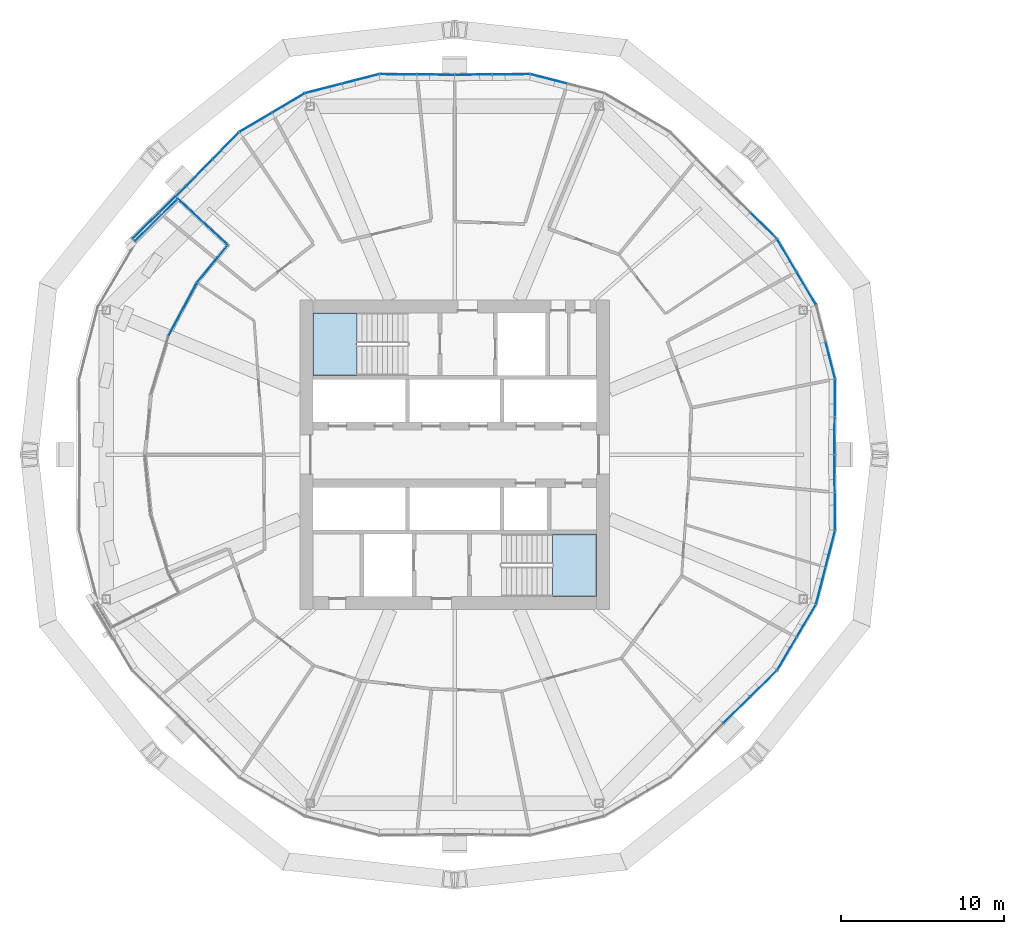
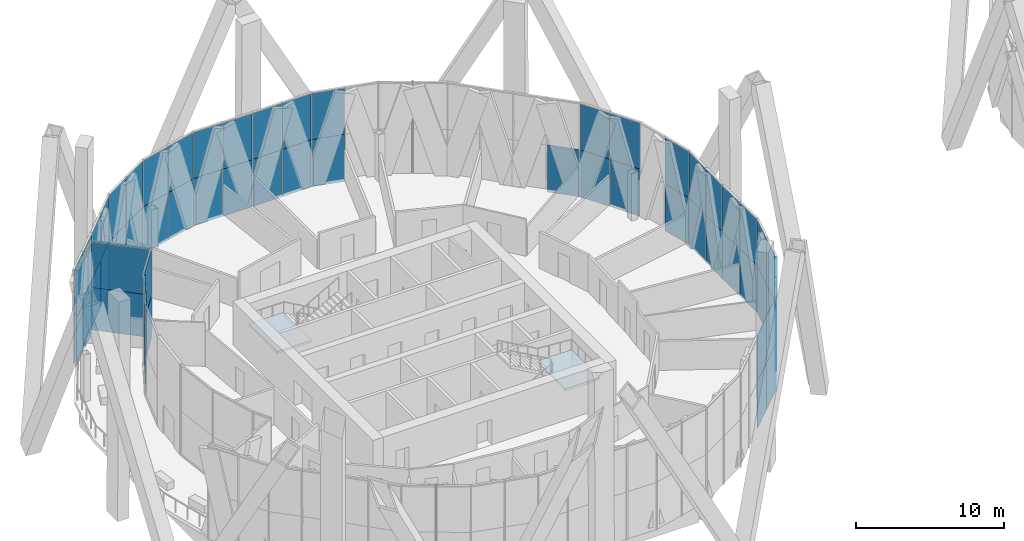
# One storey, part 18 of 30: 61 plates, 2 slabs, 9 elements without a shape of their own.
"""IFC4 building model written with IfcOpenShell, lengths in metres."""

from ifc_helpers import new_model, si_unit, direction, frame, origin, origin_2d, place, context, subcontext, project, spatial, polyline, rectangle, outline, extrude, material, layer, layer_set, type_object, element, aggregate, save


model = new_model("IFC4")

# Units and contexts
model_context = context("Model", 3, precision=1e-05, world=origin(), true_north=direction((0.0, 1.0)))
body_context = subcontext(model_context, "Body", "Model", "MODEL_VIEW")
ifc_project = project(units=[si_unit("LENGTHUNIT", "METRE"), si_unit("AREAUNIT", "SQUARE_METRE"), si_unit("VOLUMEUNIT", "CUBIC_METRE"), si_unit("PLANEANGLEUNIT", "RADIAN"), si_unit("MASSUNIT", "GRAM", prefix="KILO")], contexts=[model_context])

# Site, building, storey
site_placement = place(None, origin())
site = spatial("IfcSite", under=ifc_project, at=site_placement, CompositionType="ELEMENT")
building_placement = place(site_placement, origin())
building = spatial("IfcBuilding", under=site, at=building_placement, Name="Ogive Gate Towers", CompositionType="ELEMENT")
storey_placement = place(building_placement, frame((0.0, 0.0, 99.60009765625)))
storey = spatial("IfcBuildingStorey", under=building, at=storey_placement, Name="L23", CompositionType="ELEMENT", Elevation=99.60009765625)

# Curtain wall, plates
ifc_material_1 = material(Name="Pale metal aluminium", Category="aluminium")
curtain_wall_type_1 = type_object("IfcCurtainWallType", Name="Sky garden glazing", PredefinedType="NOTDEFINED", material=ifc_material_1)
curtain_wall_1_placement = place(storey_placement, origin())
curtain_wall_1 = element("IfcCurtainWall", 1, at=curtain_wall_1_placement, inside=storey, type_object=curtain_wall_type_1, Name="CW4 T1 ECW01", PredefinedType="NOTDEFINED")
ifc_material_2 = material(Name="Clear glass", Category="glass")
ifc_layer_1 = layer(ifc_material_2, 0.028076171875)
ifc_layer_set_1 = layer_set([ifc_layer_1], Name="Sky garden glazing glass panel")
plate_type_1 = type_object("IfcPlateType", Name="Sky garden glazing glass panel", PredefinedType="CURTAIN_PANEL", material=ifc_layer_set_1)
plate_1_placement = place(storey_placement, frame((-52.68505859375, 8.918212890625, 0.095947265625), z_axis=(0.0, 0.0, 1.0), x_axis=(0.471396736826, 0.881921264348, 0.0)))
plate_1 = element("IfcPlate", 2, at=plate_1_placement, type_object=plate_type_1, Name="CW4 glass panel", PredefinedType="CURTAIN_PANEL", context=body_context, shape_type="SweptSolid", body=[
    extrude(rectangle(XDim=3.676025390625, YDim=0.028076171875, at=origin_2d()), origin(), (0.0, 0.0, 1.0), 3.50390625),
])
plate_2_placement = place(storey_placement, frame((-52.68505859375, 8.918212890625, 3.60009765625), z_axis=(0.0, 0.0, 1.0), x_axis=(0.471396736826, 0.881921264348, 0.0)))
plate_2 = element("IfcPlate", 3, at=plate_2_placement, type_object=plate_type_1, Name="CW4 glass panel", PredefinedType="CURTAIN_PANEL", context=body_context, shape_type="SweptSolid", body=[
    extrude(rectangle(XDim=3.676025390625, YDim=0.028076171875, at=origin_2d()), origin(), (0.0, 0.0, 1.0), 3.803955078125),
])
plate_3_placement = place(storey_placement, frame((-50.870849609375, 11.701904296875, 0.095947265625), z_axis=(0.0, 0.0, 1.0), x_axis=(0.634406775645, 0.772999380993, 0.0)))
plate_3 = element("IfcPlate", 4, at=plate_3_placement, type_object=plate_type_1, Name="CW4 glass panel", PredefinedType="CURTAIN_PANEL", context=body_context, shape_type="SweptSolid", body=[
    extrude(rectangle(XDim=2.899169921875, YDim=0.028076171875, at=origin_2d()), origin(), (0.0, 0.0, 1.0), 3.50390625),
])
plate_4_placement = place(storey_placement, frame((-50.870849609375, 11.701904296875, 3.60009765625), z_axis=(0.0, 0.0, 1.0), x_axis=(0.634406775645, 0.772999380993, 0.0)))
plate_4 = element("IfcPlate", 5, at=plate_4_placement, type_object=plate_type_1, Name="CW4 glass panel", PredefinedType="CURTAIN_PANEL", context=body_context, shape_type="SweptSolid", body=[
    extrude(rectangle(XDim=2.899169921875, YDim=0.028076171875, at=origin_2d()), origin(), (0.0, 0.0, 1.0), 3.803955078125),
])
plate_5_placement = place(storey_placement, frame((-51.4638671875, 14.28369140625, 0.095947265625), z_axis=(0.0, 0.0, 1.0), x_axis=(-0.731353701619, 0.681998360062, 0.0)))
plate_5 = element("IfcPlate", 6, at=plate_5_placement, type_object=plate_type_1, Name="CW4 glass panel", PredefinedType="CURTAIN_PANEL", context=body_context, shape_type="SweptSolid", body=[
    extrude(rectangle(XDim=4.126708984375, YDim=0.028076171875, at=origin_2d()), origin(), (0.0, 0.0, 1.0), 3.50390625),
])
plate_6_placement = place(storey_placement, frame((-51.4638671875, 14.28369140625, 3.60009765625), z_axis=(0.0, 0.0, 1.0), x_axis=(-0.731353701619, 0.681998360062, 0.0)))
plate_6 = element("IfcPlate", 7, at=plate_6_placement, type_object=plate_type_1, Name="CW4 glass panel", PredefinedType="CURTAIN_PANEL", context=body_context, shape_type="SweptSolid", body=[
    extrude(rectangle(XDim=4.126708984375, YDim=0.028076171875, at=origin_2d()), origin(), (0.0, 0.0, 1.0), 3.803955078125),
])
aggregate(curtain_wall_1, [plate_1, plate_2, plate_3, plate_4, plate_5, plate_6])

# Stair, slab
ifc_material_3 = material(Name="Concrete C40/50", Category="concrete")
stair_type = type_object("IfcStairType", Name="Escape stair 1840 wide", PredefinedType="HALF_TURN_STAIR", material=ifc_material_3)
stair_1_placement = place(storey_placement, origin())
stair_1 = element("IfcStair", 8, at=stair_1_placement, inside=storey, type_object=stair_type, Name="L23 Escape stair 1", PredefinedType="HALF_TURN_STAIR")
ifc_layer_2 = layer(ifc_material_3, 0.199951171875)
ifc_layer_set_2 = layer_set([ifc_layer_2], Name="Stair landing 200 mm")
slab_type = type_object("IfcSlabType", Name="Stair landing 200 mm", PredefinedType="LANDING", material=ifc_layer_set_2)
slab_1_placement = place(storey_placement, frame((0.0, 0.0, 1.75)))
slab_1 = element("IfcSlab", 9, at=slab_1_placement, type_object=slab_type, Name="ST1 landing 1", PredefinedType="LANDING", context=body_context, shape_type="SweptSolid", body=[
    extrude(outline(polyline([(-42.00146484375, 8.699951171875), (-44.699951171875, 8.699951171875), (-44.699951171875, 4.875), (-42.00146484375, 4.875), (-42.00146484375, 8.699951171875)])), origin(), (0.0, 0.0, 1.0), 0.199951171875),
])
aggregate(stair_1, [slab_1])

stair_2_placement = place(storey_placement, origin())
stair_2 = element("IfcStair", 10, at=stair_2_placement, inside=storey, type_object=stair_type, Name="L23 Escape stair 2", PredefinedType="HALF_TURN_STAIR")
slab_2_placement = place(storey_placement, frame((0.0, 0.0, 1.75)))
slab_2 = element("IfcSlab", 11, at=slab_2_placement, type_object=slab_type, Name="ST2 landing 1", PredefinedType="LANDING", context=body_context, shape_type="SweptSolid", body=[
    extrude(outline(polyline([(-29.99853515625, -8.699951171875), (-27.300048828125, -8.699951171875), (-27.300048828125, -4.875), (-29.99853515625, -4.875), (-29.99853515625, -8.699951171875)])), origin(), (0.0, 0.0, 1.0), 0.199951171875),
])
aggregate(stair_2, [slab_2])

# Curtain wall, plates
curtain_wall_type_2 = type_object("IfcCurtainWallType", Name="Tower unitised wall, low zone", PredefinedType="NOTDEFINED", material=ifc_material_1)
curtain_wall_2_placement = place(storey_placement, origin())
curtain_wall_2 = element("IfcCurtainWall", 12, at=curtain_wall_2_placement, inside=storey, type_object=curtain_wall_type_2, Name="CW1 T1 ECW03", PredefinedType="NOTDEFINED")
ifc_layer_3 = layer(ifc_material_2, 0.028076171875)
ifc_layer_set_3 = layer_set([ifc_layer_3], Name="Tower unitised wall, low zone glass panel")
plate_type_2 = type_object("IfcPlateType", Name="Tower unitised wall, low zone glass panel", PredefinedType="CURTAIN_PANEL", material=ifc_layer_set_3)
plate_7_placement = place(storey_placement, frame((-17.035400390625, 14.048095703125, -0.300048828125), z_axis=(0.0, 0.0, 1.0), x_axis=(0.713861836212, -0.700286569056, 0.0)))
plate_7 = element("IfcPlate", 13, at=plate_7_placement, type_object=plate_type_2, Name="CW1 glass panel", PredefinedType="CURTAIN_PANEL", context=body_context, shape_type="SweptSolid", body=[
    extrude(rectangle(XDim=2.26123046875, YDim=0.028076171875, at=origin_2d()), origin(), (0.0, 0.0, 1.0), 3.89990234375),
])
plate_8_placement = place(storey_placement, frame((-15.60791015625, 12.221435546875, -0.300048828125), z_axis=(0.0, 0.0, 1.0), x_axis=(0.508530551553, -0.861043946693, 0.0)))
plate_8 = element("IfcPlate", 14, at=plate_8_placement, type_object=plate_type_2, Name="CW1 glass panel", PredefinedType="CURTAIN_PANEL", context=body_context, shape_type="SweptSolid", body=[
    extrude(rectangle(XDim=2.29150390625, YDim=0.028076171875, at=origin_2d()), origin(), (0.0, 0.0, 1.0), 3.89990234375),
])
plate_9_placement = place(storey_placement, frame((-15.60791015625, 12.221435546875, 3.60009765625), z_axis=(0.0, 0.0, 1.0), x_axis=(0.508530551553, -0.861043946693, 0.0)))
plate_9 = element("IfcPlate", 15, at=plate_9_placement, type_object=plate_type_2, Name="CW1 glass panel", PredefinedType="CURTAIN_PANEL", context=body_context, shape_type="SweptSolid", body=[
    extrude(rectangle(XDim=2.29150390625, YDim=0.028076171875, at=origin_2d()), origin(), (0.0, 0.0, 1.0), 3.803955078125),
])
plate_10_placement = place(storey_placement, frame((-14.415283203125, 10.201904296875, -0.300048828125), z_axis=(0.0, 0.0, 1.0), x_axis=(0.508545579527, -0.86103507103, 0.0)))
plate_10 = element("IfcPlate", 16, at=plate_10_placement, type_object=plate_type_2, Name="CW1 glass panel", PredefinedType="CURTAIN_PANEL", context=body_context, shape_type="SweptSolid", body=[
    extrude(rectangle(XDim=2.29150390625, YDim=0.028076171875, at=origin_2d()), origin(), (0.0, 0.0, 1.0), 3.89990234375),
])
plate_11_placement = place(storey_placement, frame((-14.415283203125, 10.201904296875, 3.60009765625), z_axis=(0.0, 0.0, 1.0), x_axis=(0.508545579527, -0.86103507103, 0.0)))
plate_11 = element("IfcPlate", 17, at=plate_11_placement, type_object=plate_type_2, Name="CW1 glass panel", PredefinedType="CURTAIN_PANEL", context=body_context, shape_type="SweptSolid", body=[
    extrude(rectangle(XDim=2.29150390625, YDim=0.028076171875, at=origin_2d()), origin(), (0.0, 0.0, 1.0), 3.803955078125),
])
plate_12_placement = place(storey_placement, frame((-12.938720703125, 5.77734375, -0.300048828125), z_axis=(0.0, 0.0, 1.0), x_axis=(0.249247709738, -0.968439765391, 0.0)))
plate_12 = element("IfcPlate", 18, at=plate_12_placement, type_object=plate_type_2, Name="CW1 glass panel", PredefinedType="CURTAIN_PANEL", context=body_context, shape_type="SweptSolid", body=[
    extrude(rectangle(XDim=2.291748046875, YDim=0.028076171875, at=origin_2d()), origin(), (0.0, 0.0, 1.0), 3.89990234375),
])
plate_13_placement = place(storey_placement, frame((-12.938720703125, 5.77734375, 3.60009765625), z_axis=(0.0, 0.0, 1.0), x_axis=(0.249247709738, -0.968439765391, 0.0)))
plate_13 = element("IfcPlate", 19, at=plate_13_placement, type_object=plate_type_2, Name="CW1 glass panel", PredefinedType="CURTAIN_PANEL", context=body_context, shape_type="SweptSolid", body=[
    extrude(rectangle(XDim=2.291748046875, YDim=0.028076171875, at=origin_2d()), origin(), (0.0, 0.0, 1.0), 3.803955078125),
])
plate_14_placement = place(storey_placement, frame((-12.656494140625, 3.476318359375, -0.300048828125), z_axis=(0.0, 0.0, 1.0), x_axis=(-0.009581710973, -0.999954094354, 0.0)))
plate_14 = element("IfcPlate", 20, at=plate_14_placement, type_object=plate_type_2, Name="CW1 glass panel", PredefinedType="CURTAIN_PANEL", context=body_context, shape_type="SweptSolid", body=[
    extrude(rectangle(XDim=2.26123046875, YDim=0.028076171875, at=origin_2d()), origin(), (0.0, 0.0, 1.0), 3.89990234375),
])
plate_15_placement = place(storey_placement, frame((-12.656494140625, 3.476318359375, 3.60009765625), z_axis=(0.0, 0.0, 1.0), x_axis=(-0.009581710973, -0.999954094354, 0.0)))
plate_15 = element("IfcPlate", 21, at=plate_15_placement, type_object=plate_type_2, Name="CW1 glass panel", PredefinedType="CURTAIN_PANEL", context=body_context, shape_type="SweptSolid", body=[
    extrude(rectangle(XDim=2.26123046875, YDim=0.028076171875, at=origin_2d()), origin(), (0.0, 0.0, 1.0), 3.803955078125),
])
plate_16_placement = place(storey_placement, frame((-12.678955078125, 1.159423828125, -0.300048828125), z_axis=(0.0, 0.0, 1.0), x_axis=(-0.009616615949, -0.99995375928, 0.0)))
plate_16 = element("IfcPlate", 22, at=plate_16_placement, type_object=plate_type_2, Name="CW1 glass panel", PredefinedType="CURTAIN_PANEL", context=body_context, shape_type="SweptSolid", body=[
    extrude(rectangle(XDim=2.264892578125, YDim=0.028076171875, at=origin_2d()), origin(), (0.0, 0.0, 1.0), 3.89990234375),
])
plate_17_placement = place(storey_placement, frame((-12.678955078125, 1.159423828125, 3.60009765625), z_axis=(0.0, 0.0, 1.0), x_axis=(-0.009616615949, -0.99995375928, 0.0)))
plate_17 = element("IfcPlate", 23, at=plate_17_placement, type_object=plate_type_2, Name="CW1 glass panel", PredefinedType="CURTAIN_PANEL", context=body_context, shape_type="SweptSolid", body=[
    extrude(rectangle(XDim=2.264892578125, YDim=0.028076171875, at=origin_2d()), origin(), (0.0, 0.0, 1.0), 3.803955078125),
])
aggregate(curtain_wall_2, [plate_7, plate_8, plate_9, plate_10, plate_11, plate_12, plate_13, plate_14, plate_15, plate_16, plate_17])

curtain_wall_3_placement = place(storey_placement, origin())
curtain_wall_3 = element("IfcCurtainWall", 24, at=curtain_wall_3_placement, inside=storey, type_object=curtain_wall_type_2, Name="CW1 T1 ECW04", PredefinedType="NOTDEFINED")
plate_18_placement = place(storey_placement, frame((-34.840576171875, 23.321044921875, -0.300048828125), z_axis=(0.0, 0.0, 1.0), x_axis=(0.99995375928, 0.009616615949, 0.0)))
plate_18 = element("IfcPlate", 25, at=plate_18_placement, type_object=plate_type_2, Name="CW1 glass panel", PredefinedType="CURTAIN_PANEL", context=body_context, shape_type="SweptSolid", body=[
    extrude(rectangle(XDim=2.264892578125, YDim=0.028076171875, at=origin_2d()), origin(), (0.0, 0.0, 1.0), 3.89990234375),
])
plate_19_placement = place(storey_placement, frame((-34.840576171875, 23.321044921875, 3.60009765625), z_axis=(0.0, 0.0, 1.0), x_axis=(0.99995375928, 0.009616615949, 0.0)))
plate_19 = element("IfcPlate", 26, at=plate_19_placement, type_object=plate_type_2, Name="CW1 glass panel", PredefinedType="CURTAIN_PANEL", context=body_context, shape_type="SweptSolid", body=[
    extrude(rectangle(XDim=2.264892578125, YDim=0.028076171875, at=origin_2d()), origin(), (0.0, 0.0, 1.0), 3.803955078125),
])
plate_20_placement = place(storey_placement, frame((-32.523681640625, 23.343505859375, -0.300048828125), z_axis=(0.0, 0.0, 1.0), x_axis=(0.999954094354, 0.009581710973, 0.0)))
plate_20 = element("IfcPlate", 27, at=plate_20_placement, type_object=plate_type_2, Name="CW1 glass panel", PredefinedType="CURTAIN_PANEL", context=body_context, shape_type="SweptSolid", body=[
    extrude(rectangle(XDim=2.26123046875, YDim=0.028076171875, at=origin_2d()), origin(), (0.0, 0.0, 1.0), 3.89990234375),
])
plate_21_placement = place(storey_placement, frame((-32.523681640625, 23.343505859375, 3.60009765625), z_axis=(0.0, 0.0, 1.0), x_axis=(0.999954094354, 0.009581710973, 0.0)))
plate_21 = element("IfcPlate", 28, at=plate_21_placement, type_object=plate_type_2, Name="CW1 glass panel", PredefinedType="CURTAIN_PANEL", context=body_context, shape_type="SweptSolid", body=[
    extrude(rectangle(XDim=2.26123046875, YDim=0.028076171875, at=origin_2d()), origin(), (0.0, 0.0, 1.0), 3.803955078125),
])
plate_22_placement = place(storey_placement, frame((-30.22265625, 23.061279296875, -0.300048828125), z_axis=(0.0, 0.0, 1.0), x_axis=(0.968439765391, -0.249247709738, 0.0)))
plate_22 = element("IfcPlate", 29, at=plate_22_placement, type_object=plate_type_2, Name="CW1 glass panel", PredefinedType="CURTAIN_PANEL", context=body_context, shape_type="SweptSolid", body=[
    extrude(rectangle(XDim=2.291748046875, YDim=0.028076171875, at=origin_2d()), origin(), (0.0, 0.0, 1.0), 3.89990234375),
])
plate_23_placement = place(storey_placement, frame((-30.22265625, 23.061279296875, 3.60009765625), z_axis=(0.0, 0.0, 1.0), x_axis=(0.968439765391, -0.249247709738, 0.0)))
plate_23 = element("IfcPlate", 30, at=plate_23_placement, type_object=plate_type_2, Name="CW1 glass panel", PredefinedType="CURTAIN_PANEL", context=body_context, shape_type="SweptSolid", body=[
    extrude(rectangle(XDim=2.291748046875, YDim=0.028076171875, at=origin_2d()), origin(), (0.0, 0.0, 1.0), 3.803955078125),
])
aggregate(curtain_wall_3, [plate_18, plate_19, plate_20, plate_21, plate_22, plate_23])

curtain_wall_4_placement = place(storey_placement, origin())
curtain_wall_4 = element("IfcCurtainWall", 31, at=curtain_wall_4_placement, inside=storey, type_object=curtain_wall_type_2, Name="CW1 T1 ECW05", PredefinedType="NOTDEFINED")
plate_24_placement = place(storey_placement, frame((-51.670654296875, 17.310302734375, -0.300048828125), z_axis=(0.0, 0.0, 1.0), x_axis=(0.700299028189, 0.713849613797, 0.0)))
plate_24 = element("IfcPlate", 32, at=plate_24_placement, type_object=plate_type_2, Name="CW1 glass panel", PredefinedType="CURTAIN_PANEL", context=body_context, shape_type="SweptSolid", body=[
    extrude(rectangle(XDim=2.264892578125, YDim=0.028076171875, at=origin_2d()), origin(), (0.0, 0.0, 1.0), 3.89990234375),
])
plate_25_placement = place(storey_placement, frame((-51.670654296875, 17.310302734375, 3.60009765625), z_axis=(0.0, 0.0, 1.0), x_axis=(0.700299028189, 0.713849613797, 0.0)))
plate_25 = element("IfcPlate", 33, at=plate_25_placement, type_object=plate_type_2, Name="CW1 glass panel", PredefinedType="CURTAIN_PANEL", context=body_context, shape_type="SweptSolid", body=[
    extrude(rectangle(XDim=2.264892578125, YDim=0.028076171875, at=origin_2d()), origin(), (0.0, 0.0, 1.0), 3.803955078125),
])
plate_26_placement = place(storey_placement, frame((-50.048095703125, 18.964599609375, -0.300048828125), z_axis=(0.0, 0.0, 1.0), x_axis=(0.700286569056, 0.713861836212, 0.0)))
plate_26 = element("IfcPlate", 34, at=plate_26_placement, type_object=plate_type_2, Name="CW1 glass panel", PredefinedType="CURTAIN_PANEL", context=body_context, shape_type="SweptSolid", body=[
    extrude(rectangle(XDim=2.26123046875, YDim=0.028076171875, at=origin_2d()), origin(), (0.0, 0.0, 1.0), 3.89990234375),
])
plate_27_placement = place(storey_placement, frame((-50.048095703125, 18.964599609375, 3.60009765625), z_axis=(0.0, 0.0, 1.0), x_axis=(0.700286569056, 0.713861836212, 0.0)))
plate_27 = element("IfcPlate", 35, at=plate_27_placement, type_object=plate_type_2, Name="CW1 glass panel", PredefinedType="CURTAIN_PANEL", context=body_context, shape_type="SweptSolid", body=[
    extrude(rectangle(XDim=2.26123046875, YDim=0.028076171875, at=origin_2d()), origin(), (0.0, 0.0, 1.0), 3.803955078125),
])
plate_28_placement = place(storey_placement, frame((-48.221435546875, 20.39208984375, -0.300048828125), z_axis=(0.0, 0.0, 1.0), x_axis=(0.861043946693, 0.508530551553, 0.0)))
plate_28 = element("IfcPlate", 36, at=plate_28_placement, type_object=plate_type_2, Name="CW1 glass panel", PredefinedType="CURTAIN_PANEL", context=body_context, shape_type="SweptSolid", body=[
    extrude(rectangle(XDim=2.29150390625, YDim=0.028076171875, at=origin_2d()), origin(), (0.0, 0.0, 1.0), 3.89990234375),
])
plate_29_placement = place(storey_placement, frame((-48.221435546875, 20.39208984375, 3.60009765625), z_axis=(0.0, 0.0, 1.0), x_axis=(0.861043946693, 0.508530551553, 0.0)))
plate_29 = element("IfcPlate", 37, at=plate_29_placement, type_object=plate_type_2, Name="CW1 glass panel", PredefinedType="CURTAIN_PANEL", context=body_context, shape_type="SweptSolid", body=[
    extrude(rectangle(XDim=2.29150390625, YDim=0.028076171875, at=origin_2d()), origin(), (0.0, 0.0, 1.0), 3.803955078125),
])
plate_30_placement = place(storey_placement, frame((-46.201904296875, 21.584716796875, -0.300048828125), z_axis=(0.0, 0.0, 1.0), x_axis=(0.86103507103, 0.508545579527, 0.0)))
plate_30 = element("IfcPlate", 38, at=plate_30_placement, type_object=plate_type_2, Name="CW1 glass panel", PredefinedType="CURTAIN_PANEL", context=body_context, shape_type="SweptSolid", body=[
    extrude(rectangle(XDim=2.29150390625, YDim=0.028076171875, at=origin_2d()), origin(), (0.0, 0.0, 1.0), 3.89990234375),
])
plate_31_placement = place(storey_placement, frame((-46.201904296875, 21.584716796875, 3.60009765625), z_axis=(0.0, 0.0, 1.0), x_axis=(0.86103507103, 0.508545579527, 0.0)))
plate_31 = element("IfcPlate", 39, at=plate_31_placement, type_object=plate_type_2, Name="CW1 glass panel", PredefinedType="CURTAIN_PANEL", context=body_context, shape_type="SweptSolid", body=[
    extrude(rectangle(XDim=2.29150390625, YDim=0.028076171875, at=origin_2d()), origin(), (0.0, 0.0, 1.0), 3.803955078125),
])
plate_32_placement = place(storey_placement, frame((-44.049072265625, 22.4765625, -0.300048828125), z_axis=(0.0, 0.0, 1.0), x_axis=(0.968439765391, 0.249247709738, 0.0)))
plate_32 = element("IfcPlate", 40, at=plate_32_placement, type_object=plate_type_2, Name="CW1 glass panel", PredefinedType="CURTAIN_PANEL", context=body_context, shape_type="SweptSolid", body=[
    extrude(rectangle(XDim=2.29150390625, YDim=0.028076171875, at=origin_2d()), origin(), (0.0, 0.0, 1.0), 3.89990234375),
])
plate_33_placement = place(storey_placement, frame((-44.049072265625, 22.4765625, 3.60009765625), z_axis=(0.0, 0.0, 1.0), x_axis=(0.968439765391, 0.249247709738, 0.0)))
plate_33 = element("IfcPlate", 41, at=plate_33_placement, type_object=plate_type_2, Name="CW1 glass panel", PredefinedType="CURTAIN_PANEL", context=body_context, shape_type="SweptSolid", body=[
    extrude(rectangle(XDim=2.29150390625, YDim=0.028076171875, at=origin_2d()), origin(), (0.0, 0.0, 1.0), 3.803955078125),
])
plate_34_placement = place(storey_placement, frame((-41.77734375, 23.061279296875, -0.300048828125), z_axis=(0.0, 0.0, 1.0), x_axis=(0.968439765391, 0.249247709738, 0.0)))
plate_34 = element("IfcPlate", 42, at=plate_34_placement, type_object=plate_type_2, Name="CW1 glass panel", PredefinedType="CURTAIN_PANEL", context=body_context, shape_type="SweptSolid", body=[
    extrude(rectangle(XDim=2.291748046875, YDim=0.028076171875, at=origin_2d()), origin(), (0.0, 0.0, 1.0), 3.89990234375),
])
plate_35_placement = place(storey_placement, frame((-41.77734375, 23.061279296875, 3.60009765625), z_axis=(0.0, 0.0, 1.0), x_axis=(0.968439765391, 0.249247709738, 0.0)))
plate_35 = element("IfcPlate", 43, at=plate_35_placement, type_object=plate_type_2, Name="CW1 glass panel", PredefinedType="CURTAIN_PANEL", context=body_context, shape_type="SweptSolid", body=[
    extrude(rectangle(XDim=2.291748046875, YDim=0.028076171875, at=origin_2d()), origin(), (0.0, 0.0, 1.0), 3.803955078125),
])
plate_36_placement = place(storey_placement, frame((-39.476318359375, 23.343505859375, -0.300048828125), z_axis=(0.0, 0.0, 1.0), x_axis=(0.999954094354, -0.009581710973, 0.0)))
plate_36 = element("IfcPlate", 44, at=plate_36_placement, type_object=plate_type_2, Name="CW1 glass panel", PredefinedType="CURTAIN_PANEL", context=body_context, shape_type="SweptSolid", body=[
    extrude(rectangle(XDim=2.26123046875, YDim=0.028076171875, at=origin_2d()), origin(), (0.0, 0.0, 1.0), 3.89990234375),
])
plate_37_placement = place(storey_placement, frame((-39.476318359375, 23.343505859375, 3.60009765625), z_axis=(0.0, 0.0, 1.0), x_axis=(0.999954094354, -0.009581710973, 0.0)))
plate_37 = element("IfcPlate", 45, at=plate_37_placement, type_object=plate_type_2, Name="CW1 glass panel", PredefinedType="CURTAIN_PANEL", context=body_context, shape_type="SweptSolid", body=[
    extrude(rectangle(XDim=2.26123046875, YDim=0.028076171875, at=origin_2d()), origin(), (0.0, 0.0, 1.0), 3.803955078125),
])
plate_38_placement = place(storey_placement, frame((-37.159423828125, 23.321044921875, -0.300048828125), z_axis=(0.0, 0.0, 1.0), x_axis=(0.99995375928, -0.009616615949, 0.0)))
plate_38 = element("IfcPlate", 46, at=plate_38_placement, type_object=plate_type_2, Name="CW1 glass panel", PredefinedType="CURTAIN_PANEL", context=body_context, shape_type="SweptSolid", body=[
    extrude(rectangle(XDim=2.264892578125, YDim=0.028076171875, at=origin_2d()), origin(), (0.0, 0.0, 1.0), 3.89990234375),
])
plate_39_placement = place(storey_placement, frame((-37.159423828125, 23.321044921875, 3.60009765625), z_axis=(0.0, 0.0, 1.0), x_axis=(0.99995375928, -0.009616615949, 0.0)))
plate_39 = element("IfcPlate", 47, at=plate_39_placement, type_object=plate_type_2, Name="CW1 glass panel", PredefinedType="CURTAIN_PANEL", context=body_context, shape_type="SweptSolid", body=[
    extrude(rectangle(XDim=2.264892578125, YDim=0.028076171875, at=origin_2d()), origin(), (0.0, 0.0, 1.0), 3.803955078125),
])
aggregate(curtain_wall_4, [plate_24, plate_25, plate_26, plate_27, plate_28, plate_29, plate_30, plate_31, plate_32, plate_33, plate_34, plate_35, plate_36, plate_37, plate_38, plate_39])

curtain_wall_5_placement = place(storey_placement, origin())
curtain_wall_5 = element("IfcCurtainWall", 48, at=curtain_wall_5_placement, inside=storey, type_object=curtain_wall_type_2, Name="CW1 T1 ECW06", PredefinedType="NOTDEFINED")
plate_40_placement = place(storey_placement, frame((-54.31640625, 14.403564453125, -0.300048828125), z_axis=(0.0, 0.0, 1.0), x_axis=(-0.713861836212, -0.700286569056, 0.0)))
plate_40 = element("IfcPlate", 49, at=plate_40_placement, type_object=plate_type_2, Name="CW1 glass panel", PredefinedType="CURTAIN_PANEL", context=body_context, shape_type="SweptSolid", body=[
    extrude(rectangle(XDim=3.665283203125, YDim=0.028076171875, at=origin_2d()), origin(), (0.0, 0.0, 1.0), 3.89990234375),
])
plate_41_placement = place(storey_placement, frame((-54.31640625, 14.403564453125, 3.60009765625), z_axis=(0.0, 0.0, 1.0), x_axis=(-0.713861836212, -0.700286569056, 0.0)))
plate_41 = element("IfcPlate", 50, at=plate_41_placement, type_object=plate_type_2, Name="CW1 glass panel", PredefinedType="CURTAIN_PANEL", context=body_context, shape_type="SweptSolid", body=[
    extrude(rectangle(XDim=3.665283203125, YDim=0.028076171875, at=origin_2d()), origin(), (0.0, 0.0, 1.0), 3.803955078125),
])
aggregate(curtain_wall_5, [plate_40, plate_41])

curtain_wall_6_placement = place(storey_placement, origin())
curtain_wall_6 = element("IfcCurtainWall", 51, at=curtain_wall_6_placement, inside=storey, type_object=curtain_wall_type_2, Name="CW1 T1 ECW06b", PredefinedType="NOTDEFINED")
plate_42_placement = place(storey_placement, frame((-54.958740234375, 14.0537109375, -0.300048828125), z_axis=(0.0, 0.0, 1.0), x_axis=(0.71388628039, 0.70026165015, 0.0)))
plate_42 = element("IfcPlate", 52, at=plate_42_placement, type_object=plate_type_2, Name="CW1 glass panel", PredefinedType="CURTAIN_PANEL", context=body_context, shape_type="SweptSolid", body=[
    extrude(rectangle(XDim=2.25830078125, YDim=0.028076171875, at=origin_2d()), origin(), (0.0, 0.0, 1.0), 3.89990234375),
])
plate_43_placement = place(storey_placement, frame((-54.958740234375, 14.0537109375, 3.60009765625), z_axis=(0.0, 0.0, 1.0), x_axis=(0.71388628039, 0.70026165015, 0.0)))
plate_43 = element("IfcPlate", 53, at=plate_43_placement, type_object=plate_type_2, Name="CW1 glass panel", PredefinedType="CURTAIN_PANEL", context=body_context, shape_type="SweptSolid", body=[
    extrude(rectangle(XDim=2.25830078125, YDim=0.028076171875, at=origin_2d()), origin(), (0.0, 0.0, 1.0), 3.803955078125),
])
plate_44_placement = place(storey_placement, frame((-53.30810546875, 15.673095703125, -0.300048828125), z_axis=(0.0, 0.0, 1.0), x_axis=(0.713837391164, 0.700311487108, 0.0)))
plate_44 = element("IfcPlate", 54, at=plate_44_placement, type_object=plate_type_2, Name="CW1 glass panel", PredefinedType="CURTAIN_PANEL", context=body_context, shape_type="SweptSolid", body=[
    extrude(rectangle(XDim=2.25830078125, YDim=0.028076171875, at=origin_2d()), origin(), (0.0, 0.0, 1.0), 3.89990234375),
])
plate_45_placement = place(storey_placement, frame((-53.30810546875, 15.673095703125, 3.60009765625), z_axis=(0.0, 0.0, 1.0), x_axis=(0.713837391164, 0.700311487108, 0.0)))
plate_45 = element("IfcPlate", 55, at=plate_45_placement, type_object=plate_type_2, Name="CW1 glass panel", PredefinedType="CURTAIN_PANEL", context=body_context, shape_type="SweptSolid", body=[
    extrude(rectangle(XDim=2.25830078125, YDim=0.028076171875, at=origin_2d()), origin(), (0.0, 0.0, 1.0), 3.803955078125),
])
aggregate(curtain_wall_6, [plate_42, plate_43, plate_44, plate_45])

curtain_wall_7_placement = place(storey_placement, origin())
curtain_wall_7 = element("IfcCurtainWall", 56, at=curtain_wall_7_placement, inside=storey, type_object=curtain_wall_type_2, Name="CW1 T1 ECW10", PredefinedType="NOTDEFINED")
plate_46_placement = place(storey_placement, frame((-12.678955078125, -1.159423828125, -0.300048828125), z_axis=(0.0, 0.0, 1.0), x_axis=(0.009616615949, -0.99995375928, 0.0)))
plate_46 = element("IfcPlate", 57, at=plate_46_placement, type_object=plate_type_2, Name="CW1 glass panel", PredefinedType="CURTAIN_PANEL", context=body_context, shape_type="SweptSolid", body=[
    extrude(rectangle(XDim=2.264892578125, YDim=0.028076171875, at=origin_2d()), origin(), (0.0, 0.0, 1.0), 3.89990234375),
])
plate_47_placement = place(storey_placement, frame((-12.678955078125, -1.159423828125, 3.60009765625), z_axis=(0.0, 0.0, 1.0), x_axis=(0.009616615949, -0.99995375928, 0.0)))
plate_47 = element("IfcPlate", 58, at=plate_47_placement, type_object=plate_type_2, Name="CW1 glass panel", PredefinedType="CURTAIN_PANEL", context=body_context, shape_type="SweptSolid", body=[
    extrude(rectangle(XDim=2.264892578125, YDim=0.028076171875, at=origin_2d()), origin(), (0.0, 0.0, 1.0), 3.803955078125),
])
plate_48_placement = place(storey_placement, frame((-12.656494140625, -3.476318359375, -0.300048828125), z_axis=(0.0, 0.0, 1.0), x_axis=(0.009581710973, -0.999954094354, 0.0)))
plate_48 = element("IfcPlate", 59, at=plate_48_placement, type_object=plate_type_2, Name="CW1 glass panel", PredefinedType="CURTAIN_PANEL", context=body_context, shape_type="SweptSolid", body=[
    extrude(rectangle(XDim=2.26123046875, YDim=0.028076171875, at=origin_2d()), origin(), (0.0, 0.0, 1.0), 3.89990234375),
])
plate_49_placement = place(storey_placement, frame((-12.656494140625, -3.476318359375, 3.60009765625), z_axis=(0.0, 0.0, 1.0), x_axis=(0.009581710973, -0.999954094354, 0.0)))
plate_49 = element("IfcPlate", 60, at=plate_49_placement, type_object=plate_type_2, Name="CW1 glass panel", PredefinedType="CURTAIN_PANEL", context=body_context, shape_type="SweptSolid", body=[
    extrude(rectangle(XDim=2.26123046875, YDim=0.028076171875, at=origin_2d()), origin(), (0.0, 0.0, 1.0), 3.803955078125),
])
plate_50_placement = place(storey_placement, frame((-12.938720703125, -5.77734375, -0.300048828125), z_axis=(0.0, 0.0, 1.0), x_axis=(-0.249247709738, -0.968439765391, 0.0)))
plate_50 = element("IfcPlate", 61, at=plate_50_placement, type_object=plate_type_2, Name="CW1 glass panel", PredefinedType="CURTAIN_PANEL", context=body_context, shape_type="SweptSolid", body=[
    extrude(rectangle(XDim=2.291748046875, YDim=0.028076171875, at=origin_2d()), origin(), (0.0, 0.0, 1.0), 3.89990234375),
])
plate_51_placement = place(storey_placement, frame((-12.938720703125, -5.77734375, 3.60009765625), z_axis=(0.0, 0.0, 1.0), x_axis=(-0.249247709738, -0.968439765391, 0.0)))
plate_51 = element("IfcPlate", 62, at=plate_51_placement, type_object=plate_type_2, Name="CW1 glass panel", PredefinedType="CURTAIN_PANEL", context=body_context, shape_type="SweptSolid", body=[
    extrude(rectangle(XDim=2.291748046875, YDim=0.028076171875, at=origin_2d()), origin(), (0.0, 0.0, 1.0), 3.803955078125),
])
plate_52_placement = place(storey_placement, frame((-13.5234375, -8.049072265625, -0.300048828125), z_axis=(0.0, 0.0, 1.0), x_axis=(-0.249247709738, -0.968439765391, 0.0)))
plate_52 = element("IfcPlate", 63, at=plate_52_placement, type_object=plate_type_2, Name="CW1 glass panel", PredefinedType="CURTAIN_PANEL", context=body_context, shape_type="SweptSolid", body=[
    extrude(rectangle(XDim=2.29150390625, YDim=0.028076171875, at=origin_2d()), origin(), (0.0, 0.0, 1.0), 3.89990234375),
])
plate_53_placement = place(storey_placement, frame((-13.5234375, -8.049072265625, 3.60009765625), z_axis=(0.0, 0.0, 1.0), x_axis=(-0.249247709738, -0.968439765391, 0.0)))
plate_53 = element("IfcPlate", 64, at=plate_53_placement, type_object=plate_type_2, Name="CW1 glass panel", PredefinedType="CURTAIN_PANEL", context=body_context, shape_type="SweptSolid", body=[
    extrude(rectangle(XDim=2.29150390625, YDim=0.028076171875, at=origin_2d()), origin(), (0.0, 0.0, 1.0), 3.803955078125),
])
plate_54_placement = place(storey_placement, frame((-14.415283203125, -10.201904296875, -0.300048828125), z_axis=(0.0, 0.0, 1.0), x_axis=(-0.508545579527, -0.86103507103, 0.0)))
plate_54 = element("IfcPlate", 65, at=plate_54_placement, type_object=plate_type_2, Name="CW1 glass panel", PredefinedType="CURTAIN_PANEL", context=body_context, shape_type="SweptSolid", body=[
    extrude(rectangle(XDim=2.29150390625, YDim=0.028076171875, at=origin_2d()), origin(), (0.0, 0.0, 1.0), 3.89990234375),
])
plate_55_placement = place(storey_placement, frame((-14.415283203125, -10.201904296875, 3.60009765625), z_axis=(0.0, 0.0, 1.0), x_axis=(-0.508545579527, -0.86103507103, 0.0)))
plate_55 = element("IfcPlate", 66, at=plate_55_placement, type_object=plate_type_2, Name="CW1 glass panel", PredefinedType="CURTAIN_PANEL", context=body_context, shape_type="SweptSolid", body=[
    extrude(rectangle(XDim=2.29150390625, YDim=0.028076171875, at=origin_2d()), origin(), (0.0, 0.0, 1.0), 3.803955078125),
])
plate_56_placement = place(storey_placement, frame((-15.60791015625, -12.221435546875, -0.300048828125), z_axis=(0.0, 0.0, 1.0), x_axis=(-0.508530551553, -0.861043946693, 0.0)))
plate_56 = element("IfcPlate", 67, at=plate_56_placement, type_object=plate_type_2, Name="CW1 glass panel", PredefinedType="CURTAIN_PANEL", context=body_context, shape_type="SweptSolid", body=[
    extrude(rectangle(XDim=2.29150390625, YDim=0.028076171875, at=origin_2d()), origin(), (0.0, 0.0, 1.0), 3.89990234375),
])
plate_57_placement = place(storey_placement, frame((-15.60791015625, -12.221435546875, 3.60009765625), z_axis=(0.0, 0.0, 1.0), x_axis=(-0.508530551553, -0.861043946693, 0.0)))
plate_57 = element("IfcPlate", 68, at=plate_57_placement, type_object=plate_type_2, Name="CW1 glass panel", PredefinedType="CURTAIN_PANEL", context=body_context, shape_type="SweptSolid", body=[
    extrude(rectangle(XDim=2.29150390625, YDim=0.028076171875, at=origin_2d()), origin(), (0.0, 0.0, 1.0), 3.803955078125),
])
plate_58_placement = place(storey_placement, frame((-17.035400390625, -14.048095703125, -0.300048828125), z_axis=(0.0, 0.0, 1.0), x_axis=(-0.713861836212, -0.700286569056, 0.0)))
plate_58 = element("IfcPlate", 69, at=plate_58_placement, type_object=plate_type_2, Name="CW1 glass panel", PredefinedType="CURTAIN_PANEL", context=body_context, shape_type="SweptSolid", body=[
    extrude(rectangle(XDim=2.26123046875, YDim=0.028076171875, at=origin_2d()), origin(), (0.0, 0.0, 1.0), 3.89990234375),
])
plate_59_placement = place(storey_placement, frame((-17.035400390625, -14.048095703125, 3.60009765625), z_axis=(0.0, 0.0, 1.0), x_axis=(-0.713861836212, -0.700286569056, 0.0)))
plate_59 = element("IfcPlate", 70, at=plate_59_placement, type_object=plate_type_2, Name="CW1 glass panel", PredefinedType="CURTAIN_PANEL", context=body_context, shape_type="SweptSolid", body=[
    extrude(rectangle(XDim=2.26123046875, YDim=0.028076171875, at=origin_2d()), origin(), (0.0, 0.0, 1.0), 3.803955078125),
])
plate_60_placement = place(storey_placement, frame((-18.689697265625, -15.670654296875, -0.300048828125), z_axis=(0.0, 0.0, 1.0), x_axis=(-0.713849613797, -0.700299028189, 0.0)))
plate_60 = element("IfcPlate", 71, at=plate_60_placement, type_object=plate_type_2, Name="CW1 glass panel", PredefinedType="CURTAIN_PANEL", context=body_context, shape_type="SweptSolid", body=[
    extrude(rectangle(XDim=2.264892578125, YDim=0.028076171875, at=origin_2d()), origin(), (0.0, 0.0, 1.0), 3.89990234375),
])
plate_61_placement = place(storey_placement, frame((-18.689697265625, -15.670654296875, 3.60009765625), z_axis=(0.0, 0.0, 1.0), x_axis=(-0.713849613797, -0.700299028189, 0.0)))
plate_61 = element("IfcPlate", 72, at=plate_61_placement, type_object=plate_type_2, Name="CW1 glass panel", PredefinedType="CURTAIN_PANEL", context=body_context, shape_type="SweptSolid", body=[
    extrude(rectangle(XDim=2.264892578125, YDim=0.028076171875, at=origin_2d()), origin(), (0.0, 0.0, 1.0), 3.803955078125),
])
aggregate(curtain_wall_7, [plate_46, plate_47, plate_48, plate_49, plate_50, plate_51, plate_52, plate_53, plate_54, plate_55, plate_56, plate_57, plate_58, plate_59, plate_60, plate_61])

save(model, "model.ifc")
